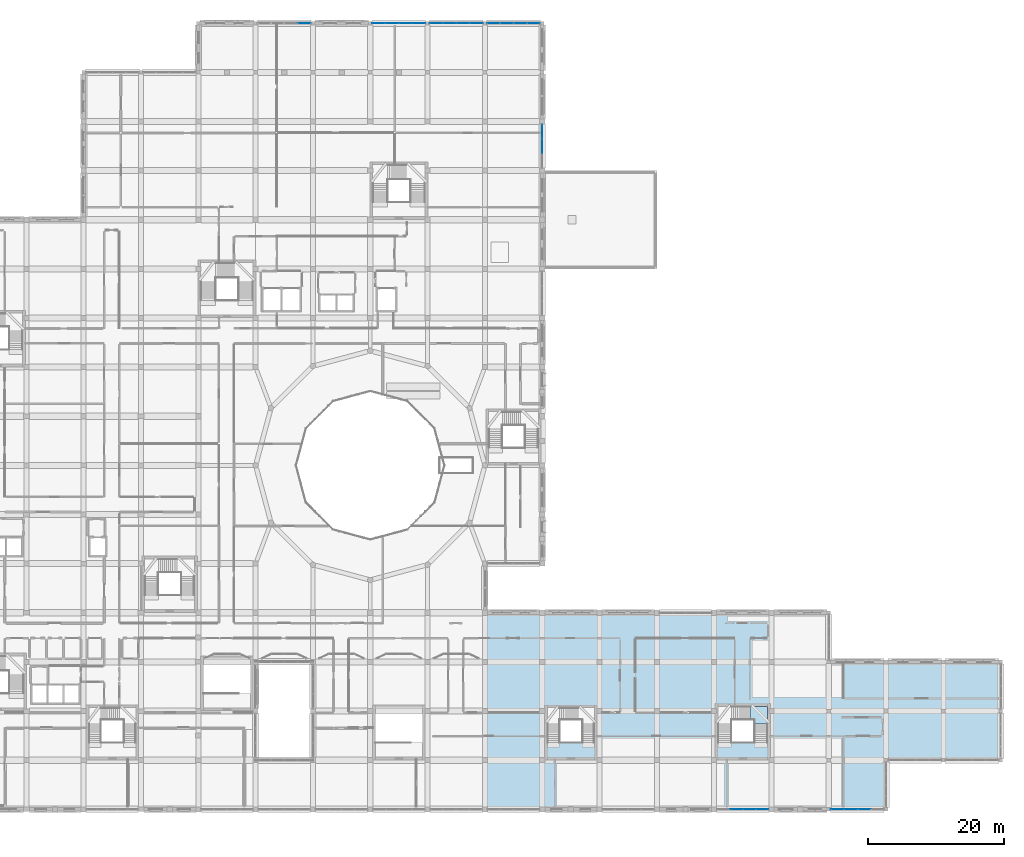
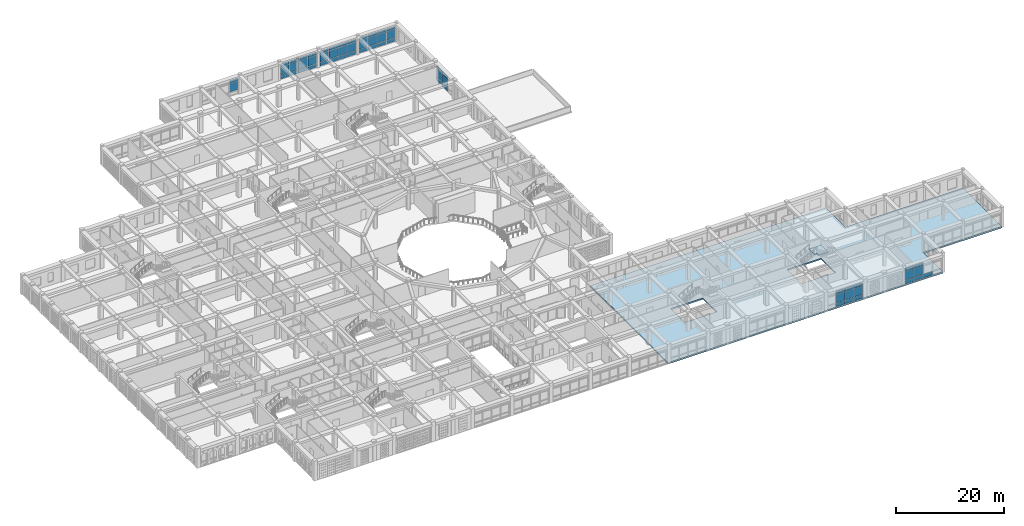
# One storey, part 68 of 121: 60 plates, 2 slabs, 8 elements without a shape of their own.
"""IFC4 building model written with IfcOpenShell, lengths in metres."""

from ifc_helpers import new_model, si_unit, derived_unit, direction, frame, origin, origin_2d, place, context, subcontext, project, spatial, polyline, rectangle, outline, extrude, material, layer, layer_set, type_object, element, aggregate, save


model = new_model("IFC4")

# Units and contexts
model_context = context("Model", 3, precision=1e-05, world=origin(), true_north=direction((0.0, 1.0)))
body_context = subcontext(model_context, "Body", "Model", "MODEL_VIEW")
ifc_project = project(units=[si_unit("LENGTHUNIT", "METRE"), si_unit("AREAUNIT", "SQUARE_METRE"), si_unit("VOLUMEUNIT", "CUBIC_METRE"), si_unit("PLANEANGLEUNIT", "RADIAN"), si_unit("MASSUNIT", "GRAM", prefix="KILO"), derived_unit("THERMALTRANSMITTANCEUNIT", [(si_unit("POWERUNIT", "WATT"), 1), (si_unit("LENGTHUNIT", "METRE"), -2), (si_unit("THERMODYNAMICTEMPERATUREUNIT", "KELVIN"), -1)])], contexts=[model_context])

# Site, building, storey
site_placement = place(None, origin())
site = spatial("IfcSite", under=ifc_project, at=site_placement, CompositionType="ELEMENT")
building_placement = place(site_placement, origin())
building = spatial("IfcBuilding", under=site, at=building_placement, Name="Veybourne Emporium", CompositionType="ELEMENT")
storey_placement = place(building_placement, frame((0.0, 0.0, 5.39990234375)))
storey = spatial("IfcBuildingStorey", under=building, at=storey_placement, Name="L01", CompositionType="ELEMENT", Elevation=5.39990234375)

# Curtain wall, plates
ifc_material_1 = material(Name="Patinated Architectural Bronze", Category="bronze")
curtain_wall_type_1 = type_object("IfcCurtainWallType", Name="CWSystem_CWS-11", PredefinedType="NOTDEFINED", material=ifc_material_1)
curtain_wall_1_placement = place(storey_placement, origin())
curtain_wall_1 = element("IfcCurtainWall", 1, at=curtain_wall_1_placement, inside=storey, type_object=curtain_wall_type_1, Name="L01 bronze glazed curtain wall CWS-11 (036)", PredefinedType="NOTDEFINED")
ifc_material_2 = material(Name="Low-E Triple Glazing", Category="glass")
ifc_layer_1 = layer(ifc_material_2, 0.028076171875)
ifc_layer_set_1 = layer_set([ifc_layer_1], Name="Low-E Triple Glazing")
plate_type = type_object("IfcPlateType", Name="CWPanel_CW-P1", PredefinedType="CURTAIN_PANEL", material=ifc_layer_set_1)
plate_1_placement = place(storey_placement, frame((65.921142578125, 115.199951171875, 0.93896484375), z_axis=(0.0, 0.0, 1.0), x_axis=(1.0, 0.0, 0.0)))
plate_1 = element("IfcPlate", 2, at=plate_1_placement, type_object=plate_type, Name="CWS-11 panel 4.2", PredefinedType="CURTAIN_PANEL", context=body_context, shape_type="SweptSolid", body=[
    extrude(rectangle(XDim=1.851806640625, YDim=0.028076171875, at=origin_2d()), origin(), (0.0, 0.0, 1.0), 1.902099609375),
])
plate_2_placement = place(storey_placement, frame((65.921142578125, 115.199951171875, 2.9189453125), z_axis=(0.0, 0.0, 1.0), x_axis=(1.0, 0.0, 0.0)))
plate_2 = element("IfcPlate", 3, at=plate_2_placement, type_object=plate_type, Name="CWS-11 panel 4.3", PredefinedType="CURTAIN_PANEL", context=body_context, shape_type="SweptSolid", body=[
    extrude(rectangle(XDim=1.851806640625, YDim=0.028076171875, at=origin_2d()), origin(), (0.0, 0.0, 1.0), 0.633056640625),
])
aggregate(curtain_wall_1, [plate_1, plate_2])

curtain_wall_type_2 = type_object("IfcCurtainWallType", Name="CWSystem_CWS-16", PredefinedType="NOTDEFINED", material=ifc_material_1)
curtain_wall_2_placement = place(storey_placement, origin())
curtain_wall_2 = element("IfcCurtainWall", 4, at=curtain_wall_2_placement, inside=storey, type_object=curtain_wall_type_2, Name="L01 bronze glazed curtain wall CWS-16 (042)", PredefinedType="NOTDEFINED")
plate_3_placement = place(storey_placement, frame((76.851806640625, 115.199951171875, 0.070068359375), z_axis=(0.0, 0.0, 1.0), x_axis=(1.0, 0.0, 0.0)))
plate_3 = element("IfcPlate", 5, at=plate_3_placement, type_object=plate_type, Name="CWS-16 panel 1.1", PredefinedType="CURTAIN_PANEL", context=body_context, shape_type="SweptSolid", body=[
    extrude(rectangle(XDim=1.86376953125, YDim=0.028076171875, at=origin_2d()), origin(), (0.0, 0.0, 1.0), 0.794921875),
])
plate_4_placement = place(storey_placement, frame((76.851806640625, 115.199951171875, 0.93505859375), z_axis=(0.0, 0.0, 1.0), x_axis=(1.0, 0.0, 0.0)))
plate_4 = element("IfcPlate", 6, at=plate_4_placement, type_object=plate_type, Name="CWS-16 panel 1.2", PredefinedType="CURTAIN_PANEL", context=body_context, shape_type="SweptSolid", body=[
    extrude(rectangle(XDim=1.86376953125, YDim=0.028076171875, at=origin_2d()), origin(), (0.0, 0.0, 1.0), 1.909912109375),
])
plate_5_placement = place(storey_placement, frame((76.851806640625, 115.199951171875, 2.9150390625), z_axis=(0.0, 0.0, 1.0), x_axis=(1.0, 0.0, 0.0)))
plate_5 = element("IfcPlate", 7, at=plate_5_placement, type_object=plate_type, Name="CWS-16 panel 1.3", PredefinedType="CURTAIN_PANEL", context=body_context, shape_type="SweptSolid", body=[
    extrude(rectangle(XDim=1.86376953125, YDim=0.028076171875, at=origin_2d()), origin(), (0.0, 0.0, 1.0), 0.64501953125),
])
plate_6_placement = place(storey_placement, frame((78.80322265625, 115.199951171875, 0.070068359375), z_axis=(0.0, 0.0, 1.0), x_axis=(1.0, 0.0, 0.0)))
plate_6 = element("IfcPlate", 8, at=plate_6_placement, type_object=plate_type, Name="CWS-16 panel 2.1", PredefinedType="CURTAIN_PANEL", context=body_context, shape_type="SweptSolid", body=[
    extrude(rectangle(XDim=1.898681640625, YDim=0.028076171875, at=origin_2d()), origin(), (0.0, 0.0, 1.0), 0.794921875),
])
plate_7_placement = place(storey_placement, frame((78.80322265625, 115.199951171875, 0.93505859375), z_axis=(0.0, 0.0, 1.0), x_axis=(1.0, 0.0, 0.0)))
plate_7 = element("IfcPlate", 9, at=plate_7_placement, type_object=plate_type, Name="CWS-16 panel 2.2", PredefinedType="CURTAIN_PANEL", context=body_context, shape_type="SweptSolid", body=[
    extrude(rectangle(XDim=1.898681640625, YDim=0.028076171875, at=origin_2d()), origin(), (0.0, 0.0, 1.0), 1.909912109375),
])
plate_8_placement = place(storey_placement, frame((78.80322265625, 115.199951171875, 2.9150390625), z_axis=(0.0, 0.0, 1.0), x_axis=(1.0, 0.0, 0.0)))
plate_8 = element("IfcPlate", 10, at=plate_8_placement, type_object=plate_type, Name="CWS-16 panel 2.3", PredefinedType="CURTAIN_PANEL", context=body_context, shape_type="SweptSolid", body=[
    extrude(rectangle(XDim=1.898681640625, YDim=0.028076171875, at=origin_2d()), origin(), (0.0, 0.0, 1.0), 0.64501953125),
])
plate_9_placement = place(storey_placement, frame((80.77197265625, 115.199951171875, 0.070068359375), z_axis=(0.0, 0.0, 1.0), x_axis=(1.0, 0.0, 0.0)))
plate_9 = element("IfcPlate", 11, at=plate_9_placement, type_object=plate_type, Name="CWS-16 panel 3.1", PredefinedType="CURTAIN_PANEL", context=body_context, shape_type="SweptSolid", body=[
    extrude(rectangle(XDim=1.898681640625, YDim=0.028076171875, at=origin_2d()), origin(), (0.0, 0.0, 1.0), 0.794921875),
])
plate_10_placement = place(storey_placement, frame((80.77197265625, 115.199951171875, 0.93505859375), z_axis=(0.0, 0.0, 1.0), x_axis=(1.0, 0.0, 0.0)))
plate_10 = element("IfcPlate", 12, at=plate_10_placement, type_object=plate_type, Name="CWS-16 panel 3.2", PredefinedType="CURTAIN_PANEL", context=body_context, shape_type="SweptSolid", body=[
    extrude(rectangle(XDim=1.898681640625, YDim=0.028076171875, at=origin_2d()), origin(), (0.0, 0.0, 1.0), 1.909912109375),
])
plate_11_placement = place(storey_placement, frame((80.77197265625, 115.199951171875, 2.9150390625), z_axis=(0.0, 0.0, 1.0), x_axis=(1.0, 0.0, 0.0)))
plate_11 = element("IfcPlate", 13, at=plate_11_placement, type_object=plate_type, Name="CWS-16 panel 3.3", PredefinedType="CURTAIN_PANEL", context=body_context, shape_type="SweptSolid", body=[
    extrude(rectangle(XDim=1.898681640625, YDim=0.028076171875, at=origin_2d()), origin(), (0.0, 0.0, 1.0), 0.64501953125),
])
plate_12_placement = place(storey_placement, frame((82.72314453125, 115.199951171875, 0.070068359375), z_axis=(0.0, 0.0, 1.0), x_axis=(1.0, 0.0, 0.0)))
plate_12 = element("IfcPlate", 14, at=plate_12_placement, type_object=plate_type, Name="CWS-16 panel 4.1", PredefinedType="CURTAIN_PANEL", context=body_context, shape_type="SweptSolid", body=[
    extrude(rectangle(XDim=1.86376953125, YDim=0.028076171875, at=origin_2d()), origin(), (0.0, 0.0, 1.0), 0.794921875),
])
plate_13_placement = place(storey_placement, frame((82.72314453125, 115.199951171875, 0.93505859375), z_axis=(0.0, 0.0, 1.0), x_axis=(1.0, 0.0, 0.0)))
plate_13 = element("IfcPlate", 15, at=plate_13_placement, type_object=plate_type, Name="CWS-16 panel 4.2", PredefinedType="CURTAIN_PANEL", context=body_context, shape_type="SweptSolid", body=[
    extrude(rectangle(XDim=1.86376953125, YDim=0.028076171875, at=origin_2d()), origin(), (0.0, 0.0, 1.0), 1.909912109375),
])
plate_14_placement = place(storey_placement, frame((82.72314453125, 115.199951171875, 2.9150390625), z_axis=(0.0, 0.0, 1.0), x_axis=(1.0, 0.0, 0.0)))
plate_14 = element("IfcPlate", 16, at=plate_14_placement, type_object=plate_type, Name="CWS-16 panel 4.3", PredefinedType="CURTAIN_PANEL", context=body_context, shape_type="SweptSolid", body=[
    extrude(rectangle(XDim=1.86376953125, YDim=0.028076171875, at=origin_2d()), origin(), (0.0, 0.0, 1.0), 0.64501953125),
])
aggregate(curtain_wall_2, [plate_3, plate_4, plate_5, plate_6, plate_7, plate_8, plate_9, plate_10, plate_11, plate_12, plate_13, plate_14])

curtain_wall_type_3 = type_object("IfcCurtainWallType", Name="CWSystem_CWS-18", PredefinedType="NOTDEFINED", material=ifc_material_1)
curtain_wall_3_placement = place(storey_placement, origin())
curtain_wall_3 = element("IfcCurtainWall", 17, at=curtain_wall_3_placement, inside=storey, type_object=curtain_wall_type_3, Name="L01 bronze glazed curtain wall CWS-18 (045)", PredefinedType="NOTDEFINED")
plate_15_placement = place(storey_placement, frame((85.278076171875, 115.199951171875, 0.074951171875), z_axis=(0.0, 0.0, 1.0), x_axis=(1.0, 0.0, 0.0)))
plate_15 = element("IfcPlate", 18, at=plate_15_placement, type_object=plate_type, Name="CWS-18 panel 1.1", PredefinedType="CURTAIN_PANEL", context=body_context, shape_type="SweptSolid", body=[
    extrude(rectangle(XDim=1.856201171875, YDim=0.028076171875, at=origin_2d()), origin(), (0.0, 0.0, 1.0), 0.78759765625),
])
plate_16_placement = place(storey_placement, frame((85.278076171875, 115.199951171875, 0.9375), z_axis=(0.0, 0.0, 1.0), x_axis=(1.0, 0.0, 0.0)))
plate_16 = element("IfcPlate", 19, at=plate_16_placement, type_object=plate_type, Name="CWS-18 panel 1.2", PredefinedType="CURTAIN_PANEL", context=body_context, shape_type="SweptSolid", body=[
    extrude(rectangle(XDim=1.856201171875, YDim=0.028076171875, at=origin_2d()), origin(), (0.0, 0.0, 1.0), 1.905029296875),
])
plate_17_placement = place(storey_placement, frame((85.278076171875, 115.199951171875, 2.91748046875), z_axis=(0.0, 0.0, 1.0), x_axis=(1.0, 0.0, 0.0)))
plate_17 = element("IfcPlate", 20, at=plate_17_placement, type_object=plate_type, Name="CWS-18 panel 1.3", PredefinedType="CURTAIN_PANEL", context=body_context, shape_type="SweptSolid", body=[
    extrude(rectangle(XDim=1.856201171875, YDim=0.028076171875, at=origin_2d()), origin(), (0.0, 0.0, 1.0), 0.637451171875),
])
plate_18_placement = place(storey_placement, frame((87.22802734375, 115.199951171875, 0.074951171875), z_axis=(0.0, 0.0, 1.0), x_axis=(1.0, 0.0, 0.0)))
plate_18 = element("IfcPlate", 21, at=plate_18_placement, type_object=plate_type, Name="CWS-18 panel 2.1", PredefinedType="CURTAIN_PANEL", context=body_context, shape_type="SweptSolid", body=[
    extrude(rectangle(XDim=1.893798828125, YDim=0.028076171875, at=origin_2d()), origin(), (0.0, 0.0, 1.0), 0.78759765625),
])
plate_19_placement = place(storey_placement, frame((87.22802734375, 115.199951171875, 0.9375), z_axis=(0.0, 0.0, 1.0), x_axis=(1.0, 0.0, 0.0)))
plate_19 = element("IfcPlate", 22, at=plate_19_placement, type_object=plate_type, Name="CWS-18 panel 2.2", PredefinedType="CURTAIN_PANEL", context=body_context, shape_type="SweptSolid", body=[
    extrude(rectangle(XDim=1.893798828125, YDim=0.028076171875, at=origin_2d()), origin(), (0.0, 0.0, 1.0), 1.905029296875),
])
plate_20_placement = place(storey_placement, frame((87.22802734375, 115.199951171875, 2.91748046875), z_axis=(0.0, 0.0, 1.0), x_axis=(1.0, 0.0, 0.0)))
plate_20 = element("IfcPlate", 23, at=plate_20_placement, type_object=plate_type, Name="CWS-18 panel 2.3", PredefinedType="CURTAIN_PANEL", context=body_context, shape_type="SweptSolid", body=[
    extrude(rectangle(XDim=1.893798828125, YDim=0.028076171875, at=origin_2d()), origin(), (0.0, 0.0, 1.0), 0.637451171875),
])
plate_21_placement = place(storey_placement, frame((89.19677734375, 115.199951171875, 0.074951171875), z_axis=(0.0, 0.0, 1.0), x_axis=(1.0, 0.0, 0.0)))
plate_21 = element("IfcPlate", 24, at=plate_21_placement, type_object=plate_type, Name="CWS-18 panel 3.1", PredefinedType="CURTAIN_PANEL", context=body_context, shape_type="SweptSolid", body=[
    extrude(rectangle(XDim=1.893798828125, YDim=0.028076171875, at=origin_2d()), origin(), (0.0, 0.0, 1.0), 0.78759765625),
])
plate_22_placement = place(storey_placement, frame((89.19677734375, 115.199951171875, 0.9375), z_axis=(0.0, 0.0, 1.0), x_axis=(1.0, 0.0, 0.0)))
plate_22 = element("IfcPlate", 25, at=plate_22_placement, type_object=plate_type, Name="CWS-18 panel 3.2", PredefinedType="CURTAIN_PANEL", context=body_context, shape_type="SweptSolid", body=[
    extrude(rectangle(XDim=1.893798828125, YDim=0.028076171875, at=origin_2d()), origin(), (0.0, 0.0, 1.0), 1.905029296875),
])
plate_23_placement = place(storey_placement, frame((89.19677734375, 115.199951171875, 2.91748046875), z_axis=(0.0, 0.0, 1.0), x_axis=(1.0, 0.0, 0.0)))
plate_23 = element("IfcPlate", 26, at=plate_23_placement, type_object=plate_type, Name="CWS-18 panel 3.3", PredefinedType="CURTAIN_PANEL", context=body_context, shape_type="SweptSolid", body=[
    extrude(rectangle(XDim=1.893798828125, YDim=0.028076171875, at=origin_2d()), origin(), (0.0, 0.0, 1.0), 0.637451171875),
])
plate_24_placement = place(storey_placement, frame((91.14697265625, 115.199951171875, 0.074951171875), z_axis=(0.0, 0.0, 1.0), x_axis=(1.0, 0.0, 0.0)))
plate_24 = element("IfcPlate", 27, at=plate_24_placement, type_object=plate_type, Name="CWS-18 panel 4.1", PredefinedType="CURTAIN_PANEL", context=body_context, shape_type="SweptSolid", body=[
    extrude(rectangle(XDim=1.856201171875, YDim=0.028076171875, at=origin_2d()), origin(), (0.0, 0.0, 1.0), 0.78759765625),
])
plate_25_placement = place(storey_placement, frame((91.14697265625, 115.199951171875, 0.9375), z_axis=(0.0, 0.0, 1.0), x_axis=(1.0, 0.0, 0.0)))
plate_25 = element("IfcPlate", 28, at=plate_25_placement, type_object=plate_type, Name="CWS-18 panel 4.2", PredefinedType="CURTAIN_PANEL", context=body_context, shape_type="SweptSolid", body=[
    extrude(rectangle(XDim=1.856201171875, YDim=0.028076171875, at=origin_2d()), origin(), (0.0, 0.0, 1.0), 1.905029296875),
])
plate_26_placement = place(storey_placement, frame((91.14697265625, 115.199951171875, 2.91748046875), z_axis=(0.0, 0.0, 1.0), x_axis=(1.0, 0.0, 0.0)))
plate_26 = element("IfcPlate", 29, at=plate_26_placement, type_object=plate_type, Name="CWS-18 panel 4.3", PredefinedType="CURTAIN_PANEL", context=body_context, shape_type="SweptSolid", body=[
    extrude(rectangle(XDim=1.856201171875, YDim=0.028076171875, at=origin_2d()), origin(), (0.0, 0.0, 1.0), 0.637451171875),
])
aggregate(curtain_wall_3, [plate_15, plate_16, plate_17, plate_18, plate_19, plate_20, plate_21, plate_22, plate_23, plate_24, plate_25, plate_26])

curtain_wall_type_4 = type_object("IfcCurtainWallType", Name="CWSystem_CWS-22", PredefinedType="NOTDEFINED", material=ifc_material_1)
curtain_wall_4_placement = place(storey_placement, origin())
curtain_wall_4 = element("IfcCurtainWall", 30, at=curtain_wall_4_placement, inside=storey, type_object=curtain_wall_type_4, Name="L01 bronze glazed curtain wall CWS-22 (057)", PredefinedType="NOTDEFINED")
plate_27_placement = place(storey_placement, frame((100.800048828125, 99.331298828125, 0.074951171875), z_axis=(0.0, 0.0, 1.0), x_axis=(0.0, -1.0, 0.0)))
plate_27 = element("IfcPlate", 31, at=plate_27_placement, type_object=plate_type, Name="CWS-22 panel 1.1", PredefinedType="CURTAIN_PANEL", context=body_context, shape_type="SweptSolid", body=[
    extrude(rectangle(XDim=2.03759765625, YDim=0.028076171875, at=origin_2d()), origin(), (0.0, 0.0, 1.0), 0.78759765625),
])
plate_28_placement = place(storey_placement, frame((100.800048828125, 99.331298828125, 0.9375), z_axis=(0.0, 0.0, 1.0), x_axis=(0.0, -1.0, 0.0)))
plate_28 = element("IfcPlate", 32, at=plate_28_placement, type_object=plate_type, Name="CWS-22 panel 1.2", PredefinedType="CURTAIN_PANEL", context=body_context, shape_type="SweptSolid", body=[
    extrude(rectangle(XDim=2.03759765625, YDim=0.028076171875, at=origin_2d()), origin(), (0.0, 0.0, 1.0), 1.905029296875),
])
plate_29_placement = place(storey_placement, frame((100.800048828125, 99.331298828125, 2.91748046875), z_axis=(0.0, 0.0, 1.0), x_axis=(0.0, -1.0, 0.0)))
plate_29 = element("IfcPlate", 33, at=plate_29_placement, type_object=plate_type, Name="CWS-22 panel 1.3", PredefinedType="CURTAIN_PANEL", context=body_context, shape_type="SweptSolid", body=[
    extrude(rectangle(XDim=2.03759765625, YDim=0.028076171875, at=origin_2d()), origin(), (0.0, 0.0, 1.0), 0.637451171875),
])
plate_30_placement = place(storey_placement, frame((100.800048828125, 97.199951171875, 0.074951171875), z_axis=(0.0, 0.0, 1.0), x_axis=(0.0, -1.0, 0.0)))
plate_30 = element("IfcPlate", 34, at=plate_30_placement, type_object=plate_type, Name="CWS-22 panel 2.1", PredefinedType="CURTAIN_PANEL", context=body_context, shape_type="SweptSolid", body=[
    extrude(rectangle(XDim=2.074951171875, YDim=0.028076171875, at=origin_2d()), origin(), (0.0, 0.0, 1.0), 0.78759765625),
])
plate_31_placement = place(storey_placement, frame((100.800048828125, 97.199951171875, 0.9375), z_axis=(0.0, 0.0, 1.0), x_axis=(0.0, -1.0, 0.0)))
plate_31 = element("IfcPlate", 35, at=plate_31_placement, type_object=plate_type, Name="CWS-22 panel 2.2", PredefinedType="CURTAIN_PANEL", context=body_context, shape_type="SweptSolid", body=[
    extrude(rectangle(XDim=2.074951171875, YDim=0.028076171875, at=origin_2d()), origin(), (0.0, 0.0, 1.0), 1.905029296875),
])
plate_32_placement = place(storey_placement, frame((100.800048828125, 97.199951171875, 2.91748046875), z_axis=(0.0, 0.0, 1.0), x_axis=(0.0, -1.0, 0.0)))
plate_32 = element("IfcPlate", 36, at=plate_32_placement, type_object=plate_type, Name="CWS-22 panel 2.3", PredefinedType="CURTAIN_PANEL", context=body_context, shape_type="SweptSolid", body=[
    extrude(rectangle(XDim=2.074951171875, YDim=0.028076171875, at=origin_2d()), origin(), (0.0, 0.0, 1.0), 0.637451171875),
])
aggregate(curtain_wall_4, [plate_27, plate_28, plate_29, plate_30, plate_31, plate_32])

curtain_wall_type_5 = type_object("IfcCurtainWallType", Name="CWSystem_CWS-23", PredefinedType="NOTDEFINED", material=ifc_material_1)
curtain_wall_5_placement = place(storey_placement, origin())
curtain_wall_5 = element("IfcCurtainWall", 37, at=curtain_wall_5_placement, inside=storey, type_object=curtain_wall_type_5, Name="L01 bronze glazed curtain wall CWS-23 (060)", PredefinedType="NOTDEFINED")
plate_33_placement = place(storey_placement, frame((93.65380859375, 115.199951171875, 0.078125), z_axis=(0.0, 0.0, 1.0), x_axis=(1.0, 0.0, 0.0)))
plate_33 = element("IfcPlate", 38, at=plate_33_placement, type_object=plate_type, Name="CWS-23 panel 1.1", PredefinedType="CURTAIN_PANEL", context=body_context, shape_type="SweptSolid", body=[
    extrude(rectangle(XDim=1.851806640625, YDim=0.028076171875, at=origin_2d()), origin(), (0.0, 0.0, 1.0), 0.782958984375),
])
plate_34_placement = place(storey_placement, frame((93.65380859375, 115.199951171875, 0.93896484375), z_axis=(0.0, 0.0, 1.0), x_axis=(1.0, 0.0, 0.0)))
plate_34 = element("IfcPlate", 39, at=plate_34_placement, type_object=plate_type, Name="CWS-23 panel 1.2", PredefinedType="CURTAIN_PANEL", context=body_context, shape_type="SweptSolid", body=[
    extrude(rectangle(XDim=1.851806640625, YDim=0.028076171875, at=origin_2d()), origin(), (0.0, 0.0, 1.0), 1.902099609375),
])
plate_35_placement = place(storey_placement, frame((93.65380859375, 115.199951171875, 2.9189453125), z_axis=(0.0, 0.0, 1.0), x_axis=(1.0, 0.0, 0.0)))
plate_35 = element("IfcPlate", 40, at=plate_35_placement, type_object=plate_type, Name="CWS-23 panel 1.3", PredefinedType="CURTAIN_PANEL", context=body_context, shape_type="SweptSolid", body=[
    extrude(rectangle(XDim=1.851806640625, YDim=0.028076171875, at=origin_2d()), origin(), (0.0, 0.0, 1.0), 0.633056640625),
])
plate_36_placement = place(storey_placement, frame((95.60302734375, 115.199951171875, 0.078125), z_axis=(0.0, 0.0, 1.0), x_axis=(1.0, 0.0, 0.0)))
plate_36 = element("IfcPlate", 41, at=plate_36_placement, type_object=plate_type, Name="CWS-23 panel 2.1", PredefinedType="CURTAIN_PANEL", context=body_context, shape_type="SweptSolid", body=[
    extrude(rectangle(XDim=1.890869140625, YDim=0.028076171875, at=origin_2d()), origin(), (0.0, 0.0, 1.0), 0.782958984375),
])
plate_37_placement = place(storey_placement, frame((95.60302734375, 115.199951171875, 0.93896484375), z_axis=(0.0, 0.0, 1.0), x_axis=(1.0, 0.0, 0.0)))
plate_37 = element("IfcPlate", 42, at=plate_37_placement, type_object=plate_type, Name="CWS-23 panel 2.2", PredefinedType="CURTAIN_PANEL", context=body_context, shape_type="SweptSolid", body=[
    extrude(rectangle(XDim=1.890869140625, YDim=0.028076171875, at=origin_2d()), origin(), (0.0, 0.0, 1.0), 1.902099609375),
])
plate_38_placement = place(storey_placement, frame((95.60302734375, 115.199951171875, 2.9189453125), z_axis=(0.0, 0.0, 1.0), x_axis=(1.0, 0.0, 0.0)))
plate_38 = element("IfcPlate", 43, at=plate_38_placement, type_object=plate_type, Name="CWS-23 panel 2.3", PredefinedType="CURTAIN_PANEL", context=body_context, shape_type="SweptSolid", body=[
    extrude(rectangle(XDim=1.890869140625, YDim=0.028076171875, at=origin_2d()), origin(), (0.0, 0.0, 1.0), 0.633056640625),
])
plate_39_placement = place(storey_placement, frame((97.57177734375, 115.199951171875, 0.078125), z_axis=(0.0, 0.0, 1.0), x_axis=(1.0, 0.0, 0.0)))
plate_39 = element("IfcPlate", 44, at=plate_39_placement, type_object=plate_type, Name="CWS-23 panel 3.1", PredefinedType="CURTAIN_PANEL", context=body_context, shape_type="SweptSolid", body=[
    extrude(rectangle(XDim=1.890869140625, YDim=0.028076171875, at=origin_2d()), origin(), (0.0, 0.0, 1.0), 0.782958984375),
])
plate_40_placement = place(storey_placement, frame((97.57177734375, 115.199951171875, 0.93896484375), z_axis=(0.0, 0.0, 1.0), x_axis=(1.0, 0.0, 0.0)))
plate_40 = element("IfcPlate", 45, at=plate_40_placement, type_object=plate_type, Name="CWS-23 panel 3.2", PredefinedType="CURTAIN_PANEL", context=body_context, shape_type="SweptSolid", body=[
    extrude(rectangle(XDim=1.890869140625, YDim=0.028076171875, at=origin_2d()), origin(), (0.0, 0.0, 1.0), 1.902099609375),
])
plate_41_placement = place(storey_placement, frame((97.57177734375, 115.199951171875, 2.9189453125), z_axis=(0.0, 0.0, 1.0), x_axis=(1.0, 0.0, 0.0)))
plate_41 = element("IfcPlate", 46, at=plate_41_placement, type_object=plate_type, Name="CWS-23 panel 3.3", PredefinedType="CURTAIN_PANEL", context=body_context, shape_type="SweptSolid", body=[
    extrude(rectangle(XDim=1.890869140625, YDim=0.028076171875, at=origin_2d()), origin(), (0.0, 0.0, 1.0), 0.633056640625),
])
plate_42_placement = place(storey_placement, frame((99.521240234375, 115.199951171875, 0.078125), z_axis=(0.0, 0.0, 1.0), x_axis=(1.0, 0.0, 0.0)))
plate_42 = element("IfcPlate", 47, at=plate_42_placement, type_object=plate_type, Name="CWS-23 panel 4.1", PredefinedType="CURTAIN_PANEL", context=body_context, shape_type="SweptSolid", body=[
    extrude(rectangle(XDim=1.851806640625, YDim=0.028076171875, at=origin_2d()), origin(), (0.0, 0.0, 1.0), 0.782958984375),
])
plate_43_placement = place(storey_placement, frame((99.521240234375, 115.199951171875, 0.93896484375), z_axis=(0.0, 0.0, 1.0), x_axis=(1.0, 0.0, 0.0)))
plate_43 = element("IfcPlate", 48, at=plate_43_placement, type_object=plate_type, Name="CWS-23 panel 4.2", PredefinedType="CURTAIN_PANEL", context=body_context, shape_type="SweptSolid", body=[
    extrude(rectangle(XDim=1.851806640625, YDim=0.028076171875, at=origin_2d()), origin(), (0.0, 0.0, 1.0), 1.902099609375),
])
plate_44_placement = place(storey_placement, frame((99.521240234375, 115.199951171875, 2.9189453125), z_axis=(0.0, 0.0, 1.0), x_axis=(1.0, 0.0, 0.0)))
plate_44 = element("IfcPlate", 49, at=plate_44_placement, type_object=plate_type, Name="CWS-23 panel 4.3", PredefinedType="CURTAIN_PANEL", context=body_context, shape_type="SweptSolid", body=[
    extrude(rectangle(XDim=1.851806640625, YDim=0.028076171875, at=origin_2d()), origin(), (0.0, 0.0, 1.0), 0.633056640625),
])
aggregate(curtain_wall_5, [plate_33, plate_34, plate_35, plate_36, plate_37, plate_38, plate_39, plate_40, plate_41, plate_42, plate_43, plate_44])

curtain_wall_type_6 = type_object("IfcCurtainWallType", Name="CWSystem_CWS-26", PredefinedType="NOTDEFINED", material=ifc_material_1)
curtain_wall_6_placement = place(storey_placement, origin())
curtain_wall_6 = element("IfcCurtainWall", 50, at=curtain_wall_6_placement, inside=storey, type_object=curtain_wall_type_6, Name="L01 bronze glazed curtain wall CWS-26 (067)", PredefinedType="NOTDEFINED")
plate_45_placement = place(storey_placement, frame((133.050048828125, 0.0, 0.074951171875), z_axis=(0.0, 0.0, 1.0), x_axis=(-1.0, 0.0, 0.0)))
plate_45 = element("IfcPlate", 51, at=plate_45_placement, type_object=plate_type, Name="CWS-26 panel 1.1", PredefinedType="CURTAIN_PANEL", context=body_context, shape_type="SweptSolid", body=[
    extrude(rectangle(XDim=1.800048828125, YDim=0.028076171875, at=origin_2d()), origin(), (0.0, 0.0, 1.0), 0.78759765625),
])
plate_46_placement = place(storey_placement, frame((133.050048828125, 0.0, 0.9375), z_axis=(0.0, 0.0, 1.0), x_axis=(-1.0, 0.0, 0.0)))
plate_46 = element("IfcPlate", 52, at=plate_46_placement, type_object=plate_type, Name="CWS-26 panel 1.2", PredefinedType="CURTAIN_PANEL", context=body_context, shape_type="SweptSolid", body=[
    extrude(rectangle(XDim=1.800048828125, YDim=0.028076171875, at=origin_2d()), origin(), (0.0, 0.0, 1.0), 1.905029296875),
])
plate_47_placement = place(storey_placement, frame((133.050048828125, 0.0, 2.91748046875), z_axis=(0.0, 0.0, 1.0), x_axis=(-1.0, 0.0, 0.0)))
plate_47 = element("IfcPlate", 53, at=plate_47_placement, type_object=plate_type, Name="CWS-26 panel 1.3", PredefinedType="CURTAIN_PANEL", context=body_context, shape_type="SweptSolid", body=[
    extrude(rectangle(XDim=1.800048828125, YDim=0.028076171875, at=origin_2d()), origin(), (0.0, 0.0, 1.0), 0.637451171875),
])
plate_48_placement = place(storey_placement, frame((131.15625, 0.0, 0.074951171875), z_axis=(0.0, 0.0, 1.0), x_axis=(-1.0, 0.0, 0.0)))
plate_48 = element("IfcPlate", 54, at=plate_48_placement, type_object=plate_type, Name="CWS-26 panel 2.1", PredefinedType="CURTAIN_PANEL", context=body_context, shape_type="SweptSolid", body=[
    extrude(rectangle(XDim=1.83740234375, YDim=0.028076171875, at=origin_2d()), origin(), (0.0, 0.0, 1.0), 0.78759765625),
])
plate_49_placement = place(storey_placement, frame((131.15625, 0.0, 0.9375), z_axis=(0.0, 0.0, 1.0), x_axis=(-1.0, 0.0, 0.0)))
plate_49 = element("IfcPlate", 55, at=plate_49_placement, type_object=plate_type, Name="CWS-26 panel 2.2", PredefinedType="CURTAIN_PANEL", context=body_context, shape_type="SweptSolid", body=[
    extrude(rectangle(XDim=1.83740234375, YDim=0.028076171875, at=origin_2d()), origin(), (0.0, 0.0, 1.0), 1.905029296875),
])
plate_50_placement = place(storey_placement, frame((131.15625, 0.0, 2.91748046875), z_axis=(0.0, 0.0, 1.0), x_axis=(-1.0, 0.0, 0.0)))
plate_50 = element("IfcPlate", 56, at=plate_50_placement, type_object=plate_type, Name="CWS-26 panel 2.3", PredefinedType="CURTAIN_PANEL", context=body_context, shape_type="SweptSolid", body=[
    extrude(rectangle(XDim=1.83740234375, YDim=0.028076171875, at=origin_2d()), origin(), (0.0, 0.0, 1.0), 0.637451171875),
])
plate_51_placement = place(storey_placement, frame((129.24365234375, 0.0, 0.074951171875), z_axis=(0.0, 0.0, 1.0), x_axis=(-1.0, 0.0, 0.0)))
plate_51 = element("IfcPlate", 57, at=plate_51_placement, type_object=plate_type, Name="CWS-26 panel 3.1", PredefinedType="CURTAIN_PANEL", context=body_context, shape_type="SweptSolid", body=[
    extrude(rectangle(XDim=1.83740234375, YDim=0.028076171875, at=origin_2d()), origin(), (0.0, 0.0, 1.0), 0.78759765625),
])
plate_52_placement = place(storey_placement, frame((129.24365234375, 0.0, 0.9375), z_axis=(0.0, 0.0, 1.0), x_axis=(-1.0, 0.0, 0.0)))
plate_52 = element("IfcPlate", 58, at=plate_52_placement, type_object=plate_type, Name="CWS-26 panel 3.2", PredefinedType="CURTAIN_PANEL", context=body_context, shape_type="SweptSolid", body=[
    extrude(rectangle(XDim=1.83740234375, YDim=0.028076171875, at=origin_2d()), origin(), (0.0, 0.0, 1.0), 1.905029296875),
])
plate_53_placement = place(storey_placement, frame((129.24365234375, 0.0, 2.91748046875), z_axis=(0.0, 0.0, 1.0), x_axis=(-1.0, 0.0, 0.0)))
plate_53 = element("IfcPlate", 59, at=plate_53_placement, type_object=plate_type, Name="CWS-26 panel 3.3", PredefinedType="CURTAIN_PANEL", context=body_context, shape_type="SweptSolid", body=[
    extrude(rectangle(XDim=1.83740234375, YDim=0.028076171875, at=origin_2d()), origin(), (0.0, 0.0, 1.0), 0.637451171875),
])
aggregate(curtain_wall_6, [plate_45, plate_46, plate_47, plate_48, plate_49, plate_50, plate_51, plate_52, plate_53])

curtain_wall_type_7 = type_object("IfcCurtainWallType", Name="CWSystem_CWS-28", PredefinedType="NOTDEFINED", material=ifc_material_1)
curtain_wall_7_placement = place(storey_placement, origin())
curtain_wall_7 = element("IfcCurtainWall", 60, at=curtain_wall_7_placement, inside=storey, type_object=curtain_wall_type_7, Name="L01 bronze glazed curtain wall CWS-28 (072)", PredefinedType="NOTDEFINED")
plate_54_placement = place(storey_placement, frame((147.971923828125, 0.0, 0.070068359375), z_axis=(0.0, 0.0, 1.0), x_axis=(-1.0, 0.0, 0.0)))
plate_54 = element("IfcPlate", 61, at=plate_54_placement, type_object=plate_type, Name="CWS-28 panel 2.1", PredefinedType="CURTAIN_PANEL", context=body_context, shape_type="SweptSolid", body=[
    extrude(rectangle(XDim=1.898681640625, YDim=0.028076171875, at=origin_2d()), origin(), (0.0, 0.0, 1.0), 0.794921875),
])
plate_55_placement = place(storey_placement, frame((146.003173828125, 0.0, 0.070068359375), z_axis=(0.0, 0.0, 1.0), x_axis=(-1.0, 0.0, 0.0)))
plate_55 = element("IfcPlate", 62, at=plate_55_placement, type_object=plate_type, Name="CWS-28 panel 3.1", PredefinedType="CURTAIN_PANEL", context=body_context, shape_type="SweptSolid", body=[
    extrude(rectangle(XDim=1.898681640625, YDim=0.028076171875, at=origin_2d()), origin(), (0.0, 0.0, 1.0), 0.794921875),
])
plate_56_placement = place(storey_placement, frame((146.003173828125, 0.0, 0.93505859375), z_axis=(0.0, 0.0, 1.0), x_axis=(-1.0, 0.0, 0.0)))
plate_56 = element("IfcPlate", 63, at=plate_56_placement, type_object=plate_type, Name="CWS-28 panel 3.2", PredefinedType="CURTAIN_PANEL", context=body_context, shape_type="SweptSolid", body=[
    extrude(rectangle(XDim=1.898681640625, YDim=0.028076171875, at=origin_2d()), origin(), (0.0, 0.0, 1.0), 1.909912109375),
])
plate_57_placement = place(storey_placement, frame((146.003173828125, 0.0, 2.9150390625), z_axis=(0.0, 0.0, 1.0), x_axis=(-1.0, 0.0, 0.0)))
plate_57 = element("IfcPlate", 64, at=plate_57_placement, type_object=plate_type, Name="CWS-28 panel 3.3", PredefinedType="CURTAIN_PANEL", context=body_context, shape_type="SweptSolid", body=[
    extrude(rectangle(XDim=1.898681640625, YDim=0.028076171875, at=origin_2d()), origin(), (0.0, 0.0, 1.0), 0.64501953125),
])
plate_58_placement = place(storey_placement, frame((144.0517578125, 0.0, 0.070068359375), z_axis=(0.0, 0.0, 1.0), x_axis=(-1.0, 0.0, 0.0)))
plate_58 = element("IfcPlate", 65, at=plate_58_placement, type_object=plate_type, Name="CWS-28 panel 4.1", PredefinedType="CURTAIN_PANEL", context=body_context, shape_type="SweptSolid", body=[
    extrude(rectangle(XDim=1.86376953125, YDim=0.028076171875, at=origin_2d()), origin(), (0.0, 0.0, 1.0), 0.794921875),
])
plate_59_placement = place(storey_placement, frame((144.0517578125, 0.0, 0.93505859375), z_axis=(0.0, 0.0, 1.0), x_axis=(-1.0, 0.0, 0.0)))
plate_59 = element("IfcPlate", 66, at=plate_59_placement, type_object=plate_type, Name="CWS-28 panel 4.2", PredefinedType="CURTAIN_PANEL", context=body_context, shape_type="SweptSolid", body=[
    extrude(rectangle(XDim=1.86376953125, YDim=0.028076171875, at=origin_2d()), origin(), (0.0, 0.0, 1.0), 1.909912109375),
])
plate_60_placement = place(storey_placement, frame((144.0517578125, 0.0, 2.9150390625), z_axis=(0.0, 0.0, 1.0), x_axis=(-1.0, 0.0, 0.0)))
plate_60 = element("IfcPlate", 67, at=plate_60_placement, type_object=plate_type, Name="CWS-28 panel 4.3", PredefinedType="CURTAIN_PANEL", context=body_context, shape_type="SweptSolid", body=[
    extrude(rectangle(XDim=1.86376953125, YDim=0.028076171875, at=origin_2d()), origin(), (0.0, 0.0, 1.0), 0.64501953125),
])
aggregate(curtain_wall_7, [plate_54, plate_55, plate_56, plate_57, plate_58, plate_59, plate_60])

# Stair, slab
ifc_material_3 = material(Name="Concrete C32/40", Category="concrete")
stair_type = type_object("IfcStairType", Name="Stair_ST-06-R30", PredefinedType="TWO_QUARTER_TURN_STAIR", material=ifc_material_3)
stair_placement = place(storey_placement, origin())
stair = element("IfcStair", 68, at=stair_placement, inside=storey, type_object=stair_type, Name="L01 stair ST-06", PredefinedType="TWO_QUARTER_TURN_STAIR")
ifc_layer_2 = layer(ifc_material_3, 0.199951171875)
ifc_layer_set_2 = layer_set([ifc_layer_2], Name="Concrete C32/40")
slab_type_1 = type_object("IfcSlabType", Name="Landing_LDG-01", PredefinedType="LANDING", material=ifc_layer_set_2)
slab_1_placement = place(storey_placement, frame((0.0, 0.0, 2.800048828125)))
slab_1 = element("IfcSlab", 69, at=slab_1_placement, type_object=slab_type_1, Name="ST-06-R30 landing 2", PredefinedType="LANDING", context=body_context, shape_type="SweptSolid", body=[
    extrude(outline(polyline([(131.25, 13.10009765625), (131.85009765625, 13.10009765625), (131.85009765625, 12.5), (133.85009765625, 12.5), (133.85009765625, 15.10009765625), (131.25, 15.10009765625), (131.25, 13.10009765625)])), origin(), (0.0, 0.0, 1.0), 0.199951171875),
])
aggregate(stair, [slab_1])

# Slab
ifc_layer_3 = layer(ifc_material_3, 0.320068359375)
ifc_layer_set_3 = layer_set([ifc_layer_3], Name="Concrete C32/40")
slab_type_2 = type_object("IfcSlabType", Name="Slab_FS-02", PredefinedType="FLOOR", material=ifc_layer_set_3)
slab_2_placement = place(storey_placement, frame((0.0, 0.0, -0.31982421875)))
element("IfcSlab", 70, at=slab_2_placement, inside=storey, type_object=slab_type_2, Name="L01 floor slab FS-02 (V4.1)", PredefinedType="FLOOR", context=body_context, shape_type="SweptSolid", body=[
    extrude(outline(polyline([(92.39990234375, 28.800048828125), (100.800048828125, 28.800048828125), (109.199951171875, 28.800048828125), (117.60009765625, 28.800048828125), (126.0, 28.800048828125), (134.39990234375, 28.800048828125), (142.800048828125, 28.800048828125), (142.800048828125, 21.60009765625), (151.199951171875, 21.60009765625), (159.60009765625, 21.60009765625), (168.0, 21.60009765625), (168.0, 14.39990234375), (168.0, 7.199951171875), (159.60009765625, 7.199951171875), (151.199951171875, 7.199951171875), (151.199951171875, 0.0), (142.800048828125, 0.0), (134.39990234375, 0.0), (126.0, 0.0), (117.60009765625, 0.0), (109.199951171875, 0.0), (100.800048828125, 0.0), (92.39990234375, 0.0), (92.39990234375, 7.199951171875), (92.39990234375, 14.39990234375), (92.39990234375, 21.60009765625), (92.39990234375, 28.800048828125)]), holes=[polyline([(101.550048828125, 9.800048828125), (108.449951171875, 9.800048828125), (108.449951171875, 14.89990234375), (101.550048828125, 14.89990234375), (101.550048828125, 9.800048828125)]), polyline([(126.550048828125, 9.800048828125), (133.85009765625, 9.800048828125), (133.85009765625, 15.10009765625), (126.550048828125, 15.10009765625), (126.550048828125, 9.800048828125)])]), origin(), (0.0, 0.0, 1.0), 0.31982421875),
])

save(model, "model.ifc")
